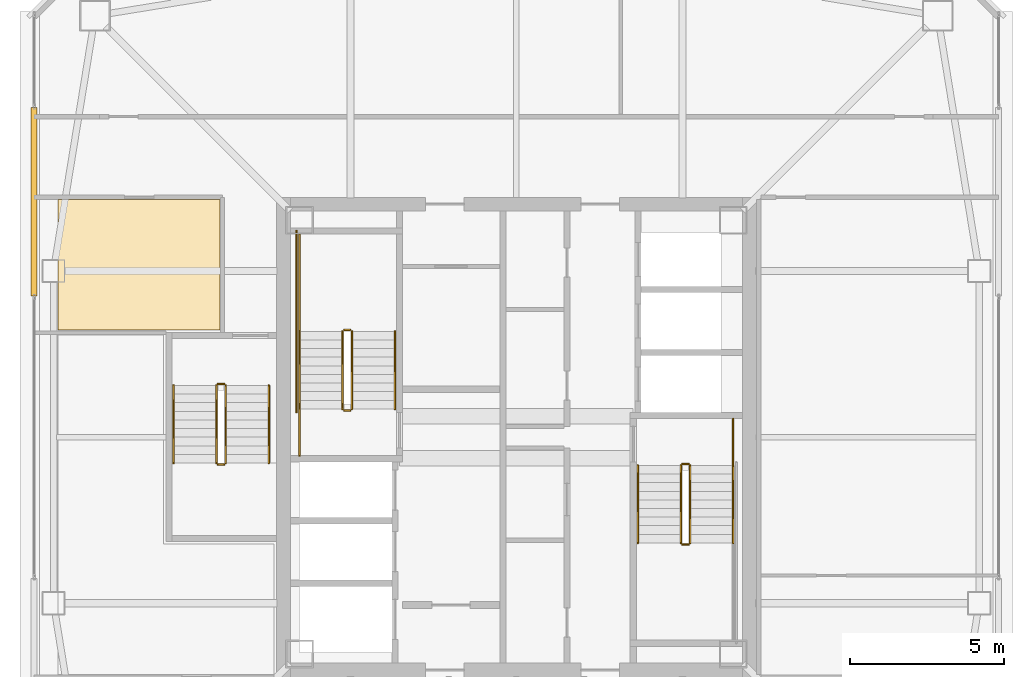
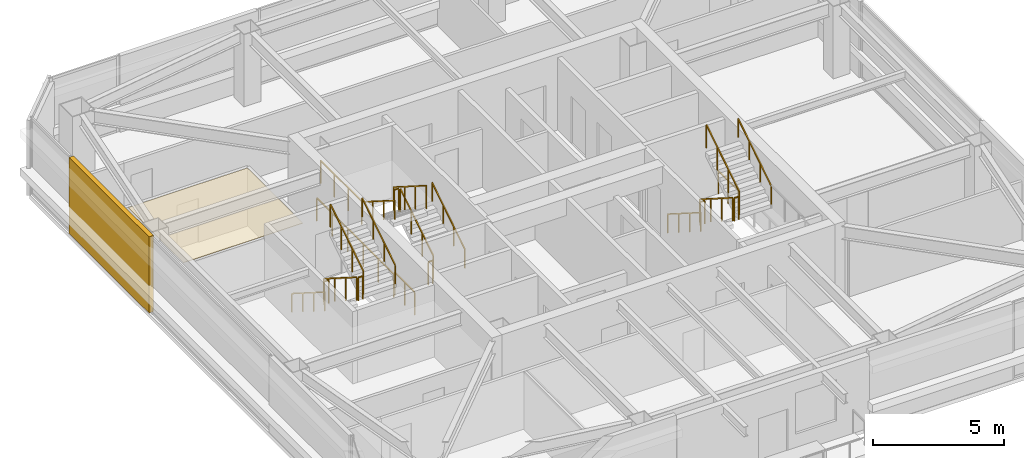
# One storey, part 32 of 36: 22 railings, 2 coverings.
"""IFC4 building model written with IfcOpenShell, lengths in metres."""

from ifc_helpers import new_model, si_unit, direction, frame, origin, origin_2d, place, context, subcontext, project, spatial, polyline, rectangle, outline, extrude, material, layer, layer_set, type_object, element, save


model = new_model("IFC4")

# Units and contexts
model_context = context("Model", 3, precision=1e-05, world=origin(), true_north=direction((0.0, 1.0)))
body_context = subcontext(model_context, "Body", "Model", "MODEL_VIEW")
ifc_project = project(units=[si_unit("LENGTHUNIT", "METRE"), si_unit("AREAUNIT", "SQUARE_METRE"), si_unit("VOLUMEUNIT", "CUBIC_METRE"), si_unit("PLANEANGLEUNIT", "RADIAN"), si_unit("MASSUNIT", "GRAM", prefix="KILO")], contexts=[model_context])

# Site, building, storey
site_placement = place(None, origin())
site = spatial("IfcSite", under=ifc_project, at=site_placement, CompositionType="ELEMENT")
building_placement = place(site_placement, origin())
building = spatial("IfcBuilding", under=site, at=building_placement, Name="Tashvorn Skyway Center", CompositionType="ELEMENT")
storey_placement = place(building_placement, frame((0.0, 0.0, 236.14990234375)))
storey = spatial("IfcBuildingStorey", under=building, at=storey_placement, Name="L64", CompositionType="ELEMENT", Elevation=236.14990234375)

# Coverings
ifc_material_1 = material(Name="Precast concrete C40/50", Category="concrete")
ifc_layer_1 = layer(ifc_material_1, 0.199951171875)
ifc_layer_set_1 = layer_set([ifc_layer_1], Name="Precast concrete C40/50")
covering_type_1 = type_object("IfcCoveringType", Name="COV-BRACE-CLAD", PredefinedType="CLADDING", material=ifc_layer_set_1)
covering_1_placement = place(storey_placement, frame((26.320068359375, 39.655517578125, 0.0), z_axis=(0.0, 0.0, 1.0), x_axis=(0.0, 1.0, 0.0)))
element("IfcCovering", 1, at=covering_1_placement, inside=storey, type_object=covering_type_1, Name="Tower 1 L64 West Unitised Curtain Wall Mega-Brace Cladding Band 2", PredefinedType="CLADDING", context=body_context, shape_type="SweptSolid", body=[
    extrude(rectangle(XDim=6.12451171875, YDim=0.199951171875, at=origin_2d()), origin(), (0.0, 0.0, 1.0), 3.550048828125),
])
ifc_material_2 = material(Name="Mineral-fibre acoustic ceiling tile on suspended grid")
ifc_layer_2 = layer(ifc_material_2, 0.02001953125)
ifc_layer_set_2 = layer_set([ifc_layer_2], Name="Mineral-fibre acoustic ceiling tile on suspended grid")
covering_type_2 = type_object("IfcCoveringType", Name="COV-CEIL-20", PredefinedType="CEILING", material=ifc_layer_set_2)
covering_2_placement = place(storey_placement, frame((0.0, 0.0, 2.703125)))
element("IfcCovering", 2, at=covering_2_placement, inside=storey, type_object=covering_type_2, Name="Tower 1 L64 Corporate Office Acoustic Ceiling", PredefinedType="CEILING", context=body_context, shape_type="SweptSolid", body=[
    extrude(outline(polyline([(32.3701171875, 39.719970703125), (32.3701171875, 35.47998046875), (27.10009765625, 35.47998046875), (27.10009765625, 39.719970703125), (32.3701171875, 39.719970703125)])), origin(), (0.0, 0.0, 1.0), 0.02001953125),
])

# Railings
ifc_material_3 = material(Name="Brushed stainless steel 316", Category="steel")
railing_type_1 = type_object("IfcRailingType", Name="RAIL-HAND-920", PredefinedType="HANDRAIL", material=ifc_material_3)
railing_1_placement = place(storey_placement, frame((38.050048828125, 32.919921875, 0.177490234375)))
element("IfcRailing", 3, at=railing_1_placement, inside=storey, type_object=railing_type_1, Name="L64 ST-T1-1 stair handrail 1", PredefinedType="HANDRAIL", context=body_context, shape_type="SweptSolid", body=[
    extrude(rectangle(XDim=0.048095703125, YDim=0.048095703125, at=origin_2d()), frame((0.0, 0.0, 0.8759765625), z_axis=(0.0, 0.84456994832, 0.535445237532), x_axis=(-1.0, 0.0, 0.0)), (0.0, 0.0, 1.0), 2.98388671875),
    extrude(rectangle(XDim=0.0419921875, YDim=0.0419921875, at=origin_2d()), origin(), (0.0, 0.0, 1.0), 0.851806640625),
    extrude(rectangle(XDim=0.0419921875, YDim=0.0419921875, at=origin_2d()), frame((0.0, 0.840087890625, 0.532470703125)), (0.0, 0.0, 1.0), 0.851806640625),
    extrude(rectangle(XDim=0.0419921875, YDim=0.0419921875, at=origin_2d()), frame((0.0, 1.679931640625, 1.065185546875)), (0.0, 0.0, 1.0), 0.851806640625),
    extrude(rectangle(XDim=0.0419921875, YDim=0.0419921875, at=origin_2d()), frame((0.0, 2.52001953125, 1.59765625)), (0.0, 0.0, 1.0), 0.851806640625),
])
railing_2_placement = place(storey_placement, frame((34.949951171875, 35.43994140625, 1.95263671875)))
element("IfcRailing", 4, at=railing_2_placement, inside=storey, type_object=railing_type_1, Name="L64 ST-T1-1 stair handrail 2", PredefinedType="HANDRAIL", context=body_context, shape_type="SweptSolid", body=[
    extrude(rectangle(XDim=0.048095703125, YDim=0.048095703125, at=origin_2d()), frame((0.0, 0.0, 0.8759765625), z_axis=(0.0, -0.84460694969, 0.535386869969), x_axis=(1.0, 0.0, 0.0)), (0.0, 0.0, 1.0), 2.983642578125),
    extrude(rectangle(XDim=0.0419921875, YDim=0.0419921875, at=origin_2d()), origin(), (0.0, 0.0, 1.0), 0.851806640625),
    extrude(rectangle(XDim=0.0419921875, YDim=0.0419921875, at=origin_2d()), frame((0.0, -0.840087890625, 0.532470703125)), (0.0, 0.0, 1.0), 0.851806640625),
    extrude(rectangle(XDim=0.0419921875, YDim=0.0419921875, at=origin_2d()), frame((0.0, -1.679931640625, 1.06494140625)), (0.0, 0.0, 1.0), 0.851806640625),
    extrude(rectangle(XDim=0.0419921875, YDim=0.0419921875, at=origin_2d()), frame((0.0, -2.52001953125, 1.597412109375)), (0.0, 0.0, 1.0), 0.851806640625),
])
railing_3_placement = place(storey_placement, frame((45.949951171875, 31.080078125, 0.177490234375)))
element("IfcRailing", 5, at=railing_3_placement, inside=storey, type_object=railing_type_1, Name="L64 ST-T1-2 stair handrail 1", PredefinedType="HANDRAIL", context=body_context, shape_type="SweptSolid", body=[
    extrude(rectangle(XDim=0.048095703125, YDim=0.048095703125, at=origin_2d()), frame((0.0, 0.0, 0.8759765625), z_axis=(0.0, -0.84456994832, 0.535445237532), x_axis=(1.0, 0.0, 0.0)), (0.0, 0.0, 1.0), 2.98388671875),
    extrude(rectangle(XDim=0.0419921875, YDim=0.0419921875, at=origin_2d()), origin(), (0.0, 0.0, 1.0), 0.851806640625),
    extrude(rectangle(XDim=0.0419921875, YDim=0.0419921875, at=origin_2d()), frame((0.0, -0.840087890625, 0.532470703125)), (0.0, 0.0, 1.0), 0.851806640625),
    extrude(rectangle(XDim=0.0419921875, YDim=0.0419921875, at=origin_2d()), frame((0.0, -1.679931640625, 1.065185546875)), (0.0, 0.0, 1.0), 0.851806640625),
    extrude(rectangle(XDim=0.0419921875, YDim=0.0419921875, at=origin_2d()), frame((0.0, -2.52001953125, 1.59765625)), (0.0, 0.0, 1.0), 0.851806640625),
])
railing_4_placement = place(storey_placement, frame((49.050048828125, 28.56005859375, 1.95263671875)))
element("IfcRailing", 6, at=railing_4_placement, inside=storey, type_object=railing_type_1, Name="L64 ST-T1-2 stair handrail 2", PredefinedType="HANDRAIL", context=body_context, shape_type="SweptSolid", body=[
    extrude(rectangle(XDim=0.048095703125, YDim=0.048095703125, at=origin_2d()), frame((0.0, 0.0, 0.8759765625), z_axis=(0.0, 0.84460694969, 0.535386869969), x_axis=(-1.0, 0.0, 0.0)), (0.0, 0.0, 1.0), 2.983642578125),
    extrude(rectangle(XDim=0.0419921875, YDim=0.0419921875, at=origin_2d()), origin(), (0.0, 0.0, 1.0), 0.851806640625),
    extrude(rectangle(XDim=0.0419921875, YDim=0.0419921875, at=origin_2d()), frame((0.0, 0.840087890625, 0.532470703125)), (0.0, 0.0, 1.0), 0.851806640625),
    extrude(rectangle(XDim=0.0419921875, YDim=0.0419921875, at=origin_2d()), frame((0.0, 1.679931640625, 1.06494140625)), (0.0, 0.0, 1.0), 0.851806640625),
    extrude(rectangle(XDim=0.0419921875, YDim=0.0419921875, at=origin_2d()), frame((0.0, 2.52001953125, 1.597412109375)), (0.0, 0.0, 1.0), 0.851806640625),
])
railing_5_placement = place(storey_placement, frame((30.85009765625, 33.679931640625, 0.177490234375)))
element("IfcRailing", 7, at=railing_5_placement, inside=storey, type_object=railing_type_1, Name="L64 ST-T1-3 stair handrail 1", PredefinedType="HANDRAIL", context=body_context, shape_type="SweptSolid", body=[
    extrude(rectangle(XDim=0.048095703125, YDim=0.048095703125, at=origin_2d()), frame((0.0, 0.0, 0.8759765625), z_axis=(0.0, -0.84456994832, 0.535445237532), x_axis=(1.0, 0.0, 0.0)), (0.0, 0.0, 1.0), 2.98388671875),
    extrude(rectangle(XDim=0.0419921875, YDim=0.0419921875, at=origin_2d()), origin(), (0.0, 0.0, 1.0), 0.851806640625),
    extrude(rectangle(XDim=0.0419921875, YDim=0.0419921875, at=origin_2d()), frame((0.0, -0.840087890625, 0.532470703125)), (0.0, 0.0, 1.0), 0.851806640625),
    extrude(rectangle(XDim=0.0419921875, YDim=0.0419921875, at=origin_2d()), frame((0.0, -1.679931640625, 1.065185546875)), (0.0, 0.0, 1.0), 0.851806640625),
    extrude(rectangle(XDim=0.0419921875, YDim=0.0419921875, at=origin_2d()), frame((0.0, -2.52001953125, 1.59765625)), (0.0, 0.0, 1.0), 0.851806640625),
])
railing_6_placement = place(storey_placement, frame((33.949951171875, 31.159912109375, 1.95263671875)))
element("IfcRailing", 8, at=railing_6_placement, inside=storey, type_object=railing_type_1, Name="L64 ST-T1-3 stair handrail 2", PredefinedType="HANDRAIL", context=body_context, shape_type="SweptSolid", body=[
    extrude(rectangle(XDim=0.048095703125, YDim=0.048095703125, at=origin_2d()), frame((0.0, 0.0, 0.8759765625), z_axis=(0.0, 0.84460694969, 0.535386869969), x_axis=(-1.0, 0.0, 0.0)), (0.0, 0.0, 1.0), 2.983642578125),
    extrude(rectangle(XDim=0.0419921875, YDim=0.0419921875, at=origin_2d()), origin(), (0.0, 0.0, 1.0), 0.851806640625),
    extrude(rectangle(XDim=0.0419921875, YDim=0.0419921875, at=origin_2d()), frame((0.0, 0.840087890625, 0.532470703125)), (0.0, 0.0, 1.0), 0.851806640625),
    extrude(rectangle(XDim=0.0419921875, YDim=0.0419921875, at=origin_2d()), frame((0.0, 1.679931640625, 1.06494140625)), (0.0, 0.0, 1.0), 0.851806640625),
    extrude(rectangle(XDim=0.0419921875, YDim=0.0419921875, at=origin_2d()), frame((0.0, 2.52001953125, 1.597412109375)), (0.0, 0.0, 1.0), 0.851806640625),
])
ifc_material_4 = material(Name="Painted galvanized steel S355", Category="steel")
railing_type_2 = type_object("IfcRailingType", Name="RAIL-STGUARD-1100", PredefinedType="GUARDRAIL", material=ifc_material_4)
railing_7_placement = place(storey_placement, frame((36.64990234375, 32.919921875, 0.177490234375)))
element("IfcRailing", 9, at=railing_7_placement, inside=storey, type_object=railing_type_2, Name="L64 ST-T1-1 stair guard 1", PredefinedType="GUARDRAIL", context=body_context, shape_type="SweptSolid", body=[
    extrude(rectangle(XDim=0.048095703125, YDim=0.048095703125, at=origin_2d()), frame((0.0, 0.0, 1.076171875), z_axis=(0.0, 0.84456994832, 0.535445237532), x_axis=(-1.0, 0.0, 0.0)), (0.0, 0.0, 1.0), 2.98388671875),
    extrude(rectangle(XDim=0.0419921875, YDim=0.0419921875, at=origin_2d()), origin(), (0.0, 0.0, 1.0), 1.052001953125),
    extrude(rectangle(XDim=0.0419921875, YDim=0.0419921875, at=origin_2d()), frame((0.0, 0.840087890625, 0.532470703125)), (0.0, 0.0, 1.0), 1.052001953125),
    extrude(rectangle(XDim=0.0419921875, YDim=0.0419921875, at=origin_2d()), frame((0.0, 1.679931640625, 1.065185546875)), (0.0, 0.0, 1.0), 1.052001953125),
    extrude(rectangle(XDim=0.0419921875, YDim=0.0419921875, at=origin_2d()), frame((0.0, 2.52001953125, 1.59765625)), (0.0, 0.0, 1.0), 1.052001953125),
])
railing_8_placement = place(storey_placement, frame((36.60009765625, 35.489990234375, 1.775146484375)))
element("IfcRailing", 10, at=railing_8_placement, inside=storey, type_object=railing_type_2, Name="L64 ST-T1-1 stair guard 2", PredefinedType="GUARDRAIL", context=body_context, shape_type="SweptSolid", body=[
    extrude(rectangle(XDim=0.048095703125, YDim=0.048095703125, at=origin_2d()), frame((0.0, 0.0, 1.076171875), z_axis=(-1.0, 0.0, 0.0), x_axis=(0.0, -1.0, 0.0)), (0.0, 0.0, 1.0), 0.2001953125),
    extrude(rectangle(XDim=0.0419921875, YDim=0.0419921875, at=origin_2d()), origin(), (0.0, 0.0, 1.0), 1.052001953125),
    extrude(rectangle(XDim=0.0419921875, YDim=0.0419921875, at=origin_2d()), frame((-0.2001953125, 0.0, 0.0)), (0.0, 0.0, 1.0), 1.052001953125),
])
railing_9_placement = place(storey_placement, frame((34.949951171875, 35.43994140625, 1.775146484375)))
element("IfcRailing", 11, at=railing_9_placement, inside=storey, type_object=railing_type_2, Name="L64 ST-T1-1 stair guard 3", PredefinedType="GUARDRAIL", context=body_context, shape_type="SweptSolid", body=[
    extrude(rectangle(XDim=0.048095703125, YDim=0.048095703125, at=origin_2d()), frame((0.0, 0.0, 1.076171875), z_axis=(0.0, 1.0, 0.0), x_axis=(-1.0, 0.0, 0.0)), (0.0, 0.0, 1.0), 3.16015625),
    extrude(rectangle(XDim=0.0419921875, YDim=0.0419921875, at=origin_2d()), origin(), (0.0, 0.0, 1.0), 1.052001953125),
    extrude(rectangle(XDim=0.0419921875, YDim=0.0419921875, at=origin_2d()), frame((0.0, 1.053466796875, 0.0)), (0.0, 0.0, 1.0), 1.052001953125),
    extrude(rectangle(XDim=0.0419921875, YDim=0.0419921875, at=origin_2d()), frame((0.0, 2.106689453125, 0.0)), (0.0, 0.0, 1.0), 1.052001953125),
    extrude(rectangle(XDim=0.0419921875, YDim=0.0419921875, at=origin_2d()), frame((0.0, 3.16015625, 0.0)), (0.0, 0.0, 1.0), 1.052001953125),
])
railing_10_placement = place(storey_placement, frame((36.35009765625, 35.43994140625, 1.95263671875)))
element("IfcRailing", 12, at=railing_10_placement, inside=storey, type_object=railing_type_2, Name="L64 ST-T1-1 stair guard 4", PredefinedType="GUARDRAIL", context=body_context, shape_type="SweptSolid", body=[
    extrude(rectangle(XDim=0.048095703125, YDim=0.048095703125, at=origin_2d()), frame((0.0, 0.0, 1.076171875), z_axis=(0.0, -0.84460694969, 0.535386869969), x_axis=(1.0, 0.0, 0.0)), (0.0, 0.0, 1.0), 2.983642578125),
    extrude(rectangle(XDim=0.0419921875, YDim=0.0419921875, at=origin_2d()), origin(), (0.0, 0.0, 1.0), 1.052001953125),
    extrude(rectangle(XDim=0.0419921875, YDim=0.0419921875, at=origin_2d()), frame((0.0, -0.840087890625, 0.532470703125)), (0.0, 0.0, 1.0), 1.052001953125),
    extrude(rectangle(XDim=0.0419921875, YDim=0.0419921875, at=origin_2d()), frame((0.0, -1.679931640625, 1.06494140625)), (0.0, 0.0, 1.0), 1.052001953125),
    extrude(rectangle(XDim=0.0419921875, YDim=0.0419921875, at=origin_2d()), frame((0.0, -2.52001953125, 1.597412109375)), (0.0, 0.0, 1.0), 1.052001953125),
])
railing_11_placement = place(storey_placement, frame((36.60009765625, 32.8701171875, 0.0)))
element("IfcRailing", 13, at=railing_11_placement, inside=storey, type_object=railing_type_2, Name="L64 ST-T1-1 stair guard 5", PredefinedType="GUARDRAIL", context=body_context, shape_type="SweptSolid", body=[
    extrude(rectangle(XDim=0.048095703125, YDim=0.048095703125, at=origin_2d()), frame((0.0, 0.0, 1.076171875), z_axis=(-1.0, 0.0, 0.0), x_axis=(0.0, -1.0, 0.0)), (0.0, 0.0, 1.0), 0.2001953125),
    extrude(rectangle(XDim=0.0419921875, YDim=0.0419921875, at=origin_2d()), origin(), (0.0, 0.0, 1.0), 1.052001953125),
    extrude(rectangle(XDim=0.0419921875, YDim=0.0419921875, at=origin_2d()), frame((-0.2001953125, 0.0, 0.0)), (0.0, 0.0, 1.0), 1.052001953125),
])
railing_12_placement = place(storey_placement, frame((34.949951171875, 31.39990234375, 0.0)))
element("IfcRailing", 14, at=railing_12_placement, inside=storey, type_object=railing_type_2, Name="L64 ST-T1-1 stair guard 6", PredefinedType="GUARDRAIL", context=body_context, shape_type="SweptSolid", body=[
    extrude(rectangle(XDim=0.048095703125, YDim=0.048095703125, at=origin_2d()), frame((0.0, 0.0, 1.076171875), z_axis=(0.0, 1.0, 0.0), x_axis=(-1.0, 0.0, 0.0)), (0.0, 0.0, 1.0), 1.52001953125),
    extrude(rectangle(XDim=0.0419921875, YDim=0.0419921875, at=origin_2d()), origin(), (0.0, 0.0, 1.0), 1.052001953125),
    extrude(rectangle(XDim=0.0419921875, YDim=0.0419921875, at=origin_2d()), frame((0.0, 0.760009765625, 0.0)), (0.0, 0.0, 1.0), 1.052001953125),
    extrude(rectangle(XDim=0.0419921875, YDim=0.0419921875, at=origin_2d()), frame((0.0, 1.52001953125, 0.0)), (0.0, 0.0, 1.0), 1.052001953125),
])
railing_13_placement = place(storey_placement, frame((34.85009765625, 32.820068359375, 0.0)))
element("IfcRailing", 15, at=railing_13_placement, inside=storey, type_object=railing_type_2, Name="L64 ST-T1-1 stair guard 7", PredefinedType="GUARDRAIL", context=body_context, shape_type="SweptSolid", body=[
    extrude(rectangle(XDim=0.048095703125, YDim=0.048095703125, at=origin_2d()), frame((0.0, 0.0, 1.076171875), z_axis=(0.0, 1.0, 0.0), x_axis=(-1.0, 0.0, 0.0)), (0.0, 0.0, 1.0), 5.8798828125),
    extrude(rectangle(XDim=0.0419921875, YDim=0.0419921875, at=origin_2d()), origin(), (0.0, 0.0, 1.0), 1.052001953125),
    extrude(rectangle(XDim=0.0419921875, YDim=0.0419921875, at=origin_2d()), frame((0.0, 1.176025390625, 0.0)), (0.0, 0.0, 1.0), 1.052001953125),
    extrude(rectangle(XDim=0.0419921875, YDim=0.0419921875, at=origin_2d()), frame((0.0, 2.35205078125, 0.0)), (0.0, 0.0, 1.0), 1.052001953125),
    extrude(rectangle(XDim=0.0419921875, YDim=0.0419921875, at=origin_2d()), frame((0.0, 3.52783203125, 0.0)), (0.0, 0.0, 1.0), 1.052001953125),
    extrude(rectangle(XDim=0.0419921875, YDim=0.0419921875, at=origin_2d()), frame((0.0, 4.703857421875, 0.0)), (0.0, 0.0, 1.0), 1.052001953125),
    extrude(rectangle(XDim=0.0419921875, YDim=0.0419921875, at=origin_2d()), frame((0.0, 5.8798828125, 0.0)), (0.0, 0.0, 1.0), 1.052001953125),
])
railing_14_placement = place(storey_placement, frame((47.35009765625, 31.080078125, 0.177490234375)))
element("IfcRailing", 16, at=railing_14_placement, inside=storey, type_object=railing_type_2, Name="L64 ST-T1-2 stair guard 1", PredefinedType="GUARDRAIL", context=body_context, shape_type="SweptSolid", body=[
    extrude(rectangle(XDim=0.048095703125, YDim=0.048095703125, at=origin_2d()), frame((0.0, 0.0, 1.076171875), z_axis=(0.0, -0.84456994832, 0.535445237532), x_axis=(1.0, 0.0, 0.0)), (0.0, 0.0, 1.0), 2.98388671875),
    extrude(rectangle(XDim=0.0419921875, YDim=0.0419921875, at=origin_2d()), origin(), (0.0, 0.0, 1.0), 1.052001953125),
    extrude(rectangle(XDim=0.0419921875, YDim=0.0419921875, at=origin_2d()), frame((0.0, -0.840087890625, 0.532470703125)), (0.0, 0.0, 1.0), 1.052001953125),
    extrude(rectangle(XDim=0.0419921875, YDim=0.0419921875, at=origin_2d()), frame((0.0, -1.679931640625, 1.065185546875)), (0.0, 0.0, 1.0), 1.052001953125),
    extrude(rectangle(XDim=0.0419921875, YDim=0.0419921875, at=origin_2d()), frame((0.0, -2.52001953125, 1.59765625)), (0.0, 0.0, 1.0), 1.052001953125),
])
railing_15_placement = place(storey_placement, frame((47.39990234375, 28.510009765625, 1.775146484375)))
element("IfcRailing", 17, at=railing_15_placement, inside=storey, type_object=railing_type_2, Name="L64 ST-T1-2 stair guard 2", PredefinedType="GUARDRAIL", context=body_context, shape_type="SweptSolid", body=[
    extrude(rectangle(XDim=0.048095703125, YDim=0.048095703125, at=origin_2d()), frame((0.0, 0.0, 1.076171875), z_axis=(1.0, 0.0, 0.0), x_axis=(0.0, 1.0, 0.0)), (0.0, 0.0, 1.0), 0.2001953125),
    extrude(rectangle(XDim=0.0419921875, YDim=0.0419921875, at=origin_2d()), origin(), (0.0, 0.0, 1.0), 1.052001953125),
    extrude(rectangle(XDim=0.0419921875, YDim=0.0419921875, at=origin_2d()), frame((0.2001953125, 0.0, 0.0)), (0.0, 0.0, 1.0), 1.052001953125),
])
railing_16_placement = place(storey_placement, frame((47.64990234375, 28.56005859375, 1.95263671875)))
element("IfcRailing", 18, at=railing_16_placement, inside=storey, type_object=railing_type_2, Name="L64 ST-T1-2 stair guard 4", PredefinedType="GUARDRAIL", context=body_context, shape_type="SweptSolid", body=[
    extrude(rectangle(XDim=0.048095703125, YDim=0.048095703125, at=origin_2d()), frame((0.0, 0.0, 1.076171875), z_axis=(0.0, 0.84460694969, 0.535386869969), x_axis=(-1.0, 0.0, 0.0)), (0.0, 0.0, 1.0), 2.983642578125),
    extrude(rectangle(XDim=0.0419921875, YDim=0.0419921875, at=origin_2d()), origin(), (0.0, 0.0, 1.0), 1.052001953125),
    extrude(rectangle(XDim=0.0419921875, YDim=0.0419921875, at=origin_2d()), frame((0.0, 0.840087890625, 0.532470703125)), (0.0, 0.0, 1.0), 1.052001953125),
    extrude(rectangle(XDim=0.0419921875, YDim=0.0419921875, at=origin_2d()), frame((0.0, 1.679931640625, 1.06494140625)), (0.0, 0.0, 1.0), 1.052001953125),
    extrude(rectangle(XDim=0.0419921875, YDim=0.0419921875, at=origin_2d()), frame((0.0, 2.52001953125, 1.597412109375)), (0.0, 0.0, 1.0), 1.052001953125),
])
railing_17_placement = place(storey_placement, frame((47.39990234375, 31.1298828125, 0.0)))
element("IfcRailing", 19, at=railing_17_placement, inside=storey, type_object=railing_type_2, Name="L64 ST-T1-2 stair guard 5", PredefinedType="GUARDRAIL", context=body_context, shape_type="SweptSolid", body=[
    extrude(rectangle(XDim=0.048095703125, YDim=0.048095703125, at=origin_2d()), frame((0.0, 0.0, 1.076171875), z_axis=(1.0, 0.0, 0.0), x_axis=(0.0, 1.0, 0.0)), (0.0, 0.0, 1.0), 0.2001953125),
    extrude(rectangle(XDim=0.0419921875, YDim=0.0419921875, at=origin_2d()), origin(), (0.0, 0.0, 1.0), 1.052001953125),
    extrude(rectangle(XDim=0.0419921875, YDim=0.0419921875, at=origin_2d()), frame((0.2001953125, 0.0, 0.0)), (0.0, 0.0, 1.0), 1.052001953125),
])
railing_18_placement = place(storey_placement, frame((49.050048828125, 32.60009765625, 0.0)))
element("IfcRailing", 20, at=railing_18_placement, inside=storey, type_object=railing_type_2, Name="L64 ST-T1-2 stair guard 6", PredefinedType="GUARDRAIL", context=body_context, shape_type="SweptSolid", body=[
    extrude(rectangle(XDim=0.048095703125, YDim=0.048095703125, at=origin_2d()), frame((0.0, 0.0, 1.076171875), z_axis=(0.0, -1.0, 0.0), x_axis=(1.0, 0.0, 0.0)), (0.0, 0.0, 1.0), 1.52001953125),
    extrude(rectangle(XDim=0.0419921875, YDim=0.0419921875, at=origin_2d()), origin(), (0.0, 0.0, 1.0), 1.052001953125),
    extrude(rectangle(XDim=0.0419921875, YDim=0.0419921875, at=origin_2d()), frame((0.0, -0.760009765625, 0.0)), (0.0, 0.0, 1.0), 1.052001953125),
    extrude(rectangle(XDim=0.0419921875, YDim=0.0419921875, at=origin_2d()), frame((0.0, -1.52001953125, 0.0)), (0.0, 0.0, 1.0), 1.052001953125),
])
railing_19_placement = place(storey_placement, frame((32.25, 33.679931640625, 0.177490234375)))
element("IfcRailing", 21, at=railing_19_placement, inside=storey, type_object=railing_type_2, Name="L64 ST-T1-3 stair guard 1", PredefinedType="GUARDRAIL", context=body_context, shape_type="SweptSolid", body=[
    extrude(rectangle(XDim=0.048095703125, YDim=0.048095703125, at=origin_2d()), frame((0.0, 0.0, 1.076171875), z_axis=(0.0, -0.84456994832, 0.535445237532), x_axis=(1.0, 0.0, 0.0)), (0.0, 0.0, 1.0), 2.98388671875),
    extrude(rectangle(XDim=0.0419921875, YDim=0.0419921875, at=origin_2d()), origin(), (0.0, 0.0, 1.0), 1.052001953125),
    extrude(rectangle(XDim=0.0419921875, YDim=0.0419921875, at=origin_2d()), frame((0.0, -0.840087890625, 0.532470703125)), (0.0, 0.0, 1.0), 1.052001953125),
    extrude(rectangle(XDim=0.0419921875, YDim=0.0419921875, at=origin_2d()), frame((0.0, -1.679931640625, 1.065185546875)), (0.0, 0.0, 1.0), 1.052001953125),
    extrude(rectangle(XDim=0.0419921875, YDim=0.0419921875, at=origin_2d()), frame((0.0, -2.52001953125, 1.59765625)), (0.0, 0.0, 1.0), 1.052001953125),
])
railing_20_placement = place(storey_placement, frame((32.300048828125, 31.110107421875, 1.775146484375)))
element("IfcRailing", 22, at=railing_20_placement, inside=storey, type_object=railing_type_2, Name="L64 ST-T1-3 stair guard 2", PredefinedType="GUARDRAIL", context=body_context, shape_type="SweptSolid", body=[
    extrude(rectangle(XDim=0.048095703125, YDim=0.048095703125, at=origin_2d()), frame((0.0, 0.0, 1.076171875), z_axis=(1.0, 0.0, 0.0), x_axis=(0.0, 1.0, 0.0)), (0.0, 0.0, 1.0), 0.199951171875),
    extrude(rectangle(XDim=0.0419921875, YDim=0.0419921875, at=origin_2d()), origin(), (0.0, 0.0, 1.0), 1.052001953125),
    extrude(rectangle(XDim=0.0419921875, YDim=0.0419921875, at=origin_2d()), frame((0.199951171875, 0.0, 0.0)), (0.0, 0.0, 1.0), 1.052001953125),
])
railing_21_placement = place(storey_placement, frame((32.550048828125, 31.159912109375, 1.95263671875)))
element("IfcRailing", 23, at=railing_21_placement, inside=storey, type_object=railing_type_2, Name="L64 ST-T1-3 stair guard 3", PredefinedType="GUARDRAIL", context=body_context, shape_type="SweptSolid", body=[
    extrude(rectangle(XDim=0.048095703125, YDim=0.048095703125, at=origin_2d()), frame((0.0, 0.0, 1.076171875), z_axis=(0.0, 0.84460694969, 0.535386869969), x_axis=(-1.0, 0.0, 0.0)), (0.0, 0.0, 1.0), 2.983642578125),
    extrude(rectangle(XDim=0.0419921875, YDim=0.0419921875, at=origin_2d()), origin(), (0.0, 0.0, 1.0), 1.052001953125),
    extrude(rectangle(XDim=0.0419921875, YDim=0.0419921875, at=origin_2d()), frame((0.0, 0.840087890625, 0.532470703125)), (0.0, 0.0, 1.0), 1.052001953125),
    extrude(rectangle(XDim=0.0419921875, YDim=0.0419921875, at=origin_2d()), frame((0.0, 1.679931640625, 1.06494140625)), (0.0, 0.0, 1.0), 1.052001953125),
    extrude(rectangle(XDim=0.0419921875, YDim=0.0419921875, at=origin_2d()), frame((0.0, 2.52001953125, 1.597412109375)), (0.0, 0.0, 1.0), 1.052001953125),
])
railing_22_placement = place(storey_placement, frame((32.300048828125, 33.72998046875, 0.0)))
element("IfcRailing", 24, at=railing_22_placement, inside=storey, type_object=railing_type_2, Name="L64 ST-T1-3 stair guard 4", PredefinedType="GUARDRAIL", context=body_context, shape_type="SweptSolid", body=[
    extrude(rectangle(XDim=0.048095703125, YDim=0.048095703125, at=origin_2d()), frame((0.0, 0.0, 1.076171875), z_axis=(1.0, 0.0, 0.0), x_axis=(0.0, 1.0, 0.0)), (0.0, 0.0, 1.0), 0.199951171875),
    extrude(rectangle(XDim=0.0419921875, YDim=0.0419921875, at=origin_2d()), origin(), (0.0, 0.0, 1.0), 1.052001953125),
    extrude(rectangle(XDim=0.0419921875, YDim=0.0419921875, at=origin_2d()), frame((0.199951171875, 0.0, 0.0)), (0.0, 0.0, 1.0), 1.052001953125),
])

save(model, "model.ifc")
